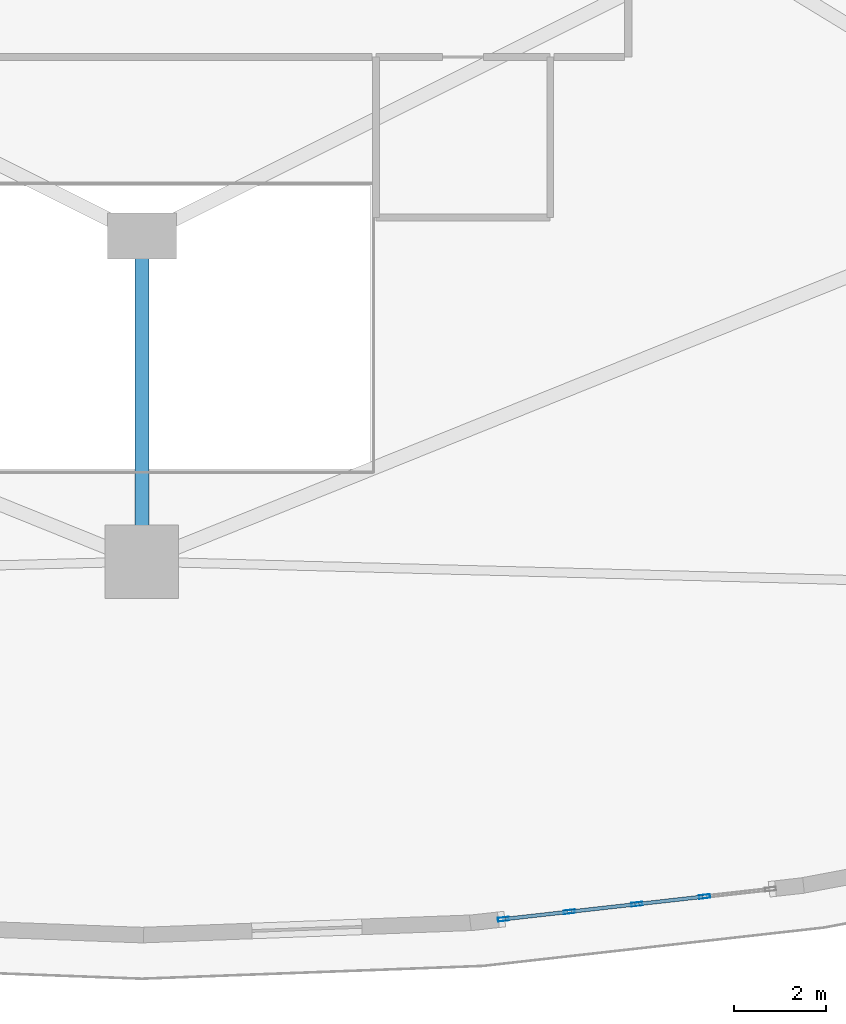
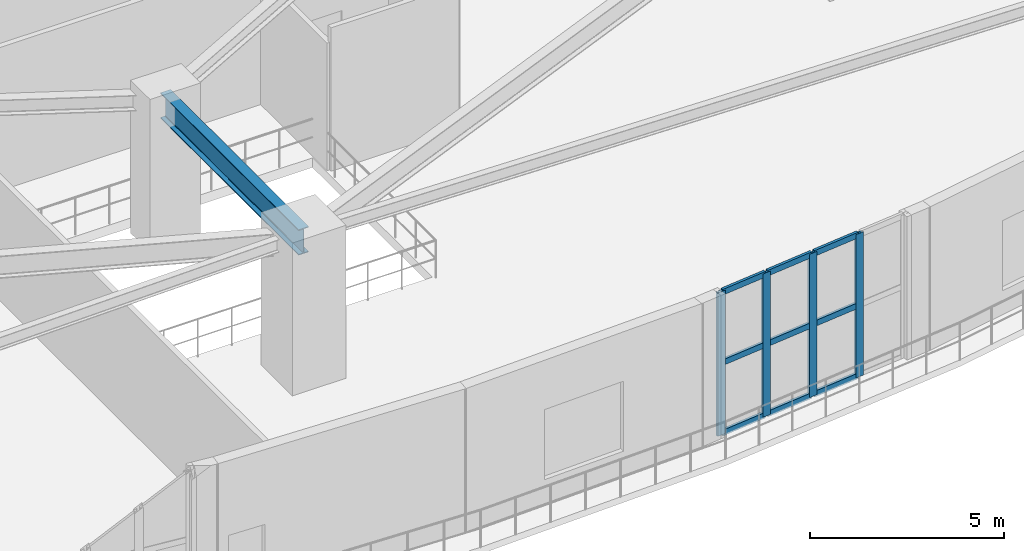
# One storey, part 6 of 25: 13 members, 1 beam, 1 element without a shape of its own.
"""IFC4 building model written with IfcOpenShell, lengths in metres."""

import ifcopenshell
import ifcopenshell.guid

model = None  # the IFC model being written
_history = None  # IfcOwnerHistory: only IFC2X3 demands one
_inside = {}  # id of a spatial element -> (the spatial element, [elements in it])
_under = {}  # id of a project, library or spatial element -> (it, [spatial elements below it])
_declared = {}  # id of a project -> (the project, [libraries it declares])
_typed = {}  # id of a type object -> (the type object, [elements of that type])
_made_of = {}  # id of a material, layer set ... -> (it, [elements and type objects made of it])


def new_model(schema):
    """Start an empty IFC model of exactly this schema.

    Asked for "IFC4X3", IfcOpenShell would pick the latest addendum, in which some entities
    have other attributes; the version numbers below select the first issue.
    IFC2X3 requires an IfcOwnerHistory on every rooted entity: one is made here for all.
    """
    global model, _history
    if schema == "IFC4X3":
        model = ifcopenshell.file(schema_version=(4, 3, 0, 0))
    else:
        model = ifcopenshell.file(schema=schema)
    _inside.clear()
    _under.clear()
    _declared.clear()
    _typed.clear()
    _made_of.clear()
    _history = None
    if model.schema == "IFC2X3":
        org = make("IfcOrganization", Name="unknown")
        user = make(
            "IfcPersonAndOrganization",
            ThePerson=make("IfcPerson", FamilyName="unknown"),
            TheOrganization=org,
        )
        app = make(
            "IfcApplication",
            ApplicationDeveloper=org,
            Version="unknown",
            ApplicationFullName="unknown",
            ApplicationIdentifier="unknown",
        )
        _history = make(
            "IfcOwnerHistory",
            OwningUser=user,
            OwningApplication=app,
            ChangeAction="ADDED",
            CreationDate=0,
        )
    return model


def make(cls, **values):
    """One entity of the class cls with the attributes given. An attribute that is None is left unset."""
    return model.create_entity(
        cls, **{name: value for name, value in values.items() if value is not None}
    )


def rooted(cls, **values):
    """An entity with a GlobalId (a new one), such as an element, a storey or a relation."""
    return make(cls, GlobalId=ifcopenshell.guid.new(), OwnerHistory=_history, **values)


def si_unit(unit_type, name, prefix=None):
    """IfcSIUnit, for example si_unit("LENGTHUNIT", "METRE", prefix="MILLI")."""
    return make("IfcSIUnit", UnitType=unit_type, Prefix=prefix, Name=name)


def assignment(units):
    """IfcUnitAssignment: the units of a project."""
    return None if units is None else make("IfcUnitAssignment", Units=units)


def point(xyz):
    """IfcCartesianPoint."""
    return None if xyz is None else make("IfcCartesianPoint", Coordinates=xyz)


def direction(xyz):
    """IfcDirection."""
    return None if xyz is None else make("IfcDirection", DirectionRatios=xyz)


def frame(location, z_axis=None, x_axis=None):
    """IfcAxis2Placement3D, a coordinate frame: its origin and axes. An axis left out is left unset."""
    return make(
        "IfcAxis2Placement3D",
        Location=point(location),
        Axis=direction(z_axis),
        RefDirection=direction(x_axis),
    )


def frame_2d(location, x_axis=None):
    """IfcAxis2Placement2D, a coordinate frame in the plane: its origin and x axis."""
    return make(
        "IfcAxis2Placement2D", Location=point(location), RefDirection=direction(x_axis)
    )


def origin():
    """The frame at (0, 0, 0) with its axes left unset."""
    return frame((0.0, 0.0, 0.0))


def origin_2d():
    """The frame at (0, 0) in the plane with its x axis left unset."""
    return frame_2d((0.0, 0.0))


def place(relative_to, where):
    """IfcLocalPlacement: puts the frame where relative to a parent placement (None: the world)."""
    return make(
        "IfcLocalPlacement", PlacementRelTo=relative_to, RelativePlacement=where
    )


def context(
    kind, dimensions, precision=None, world=None, true_north=None, identifier=None
):
    """IfcGeometricRepresentationContext, for example the 3D "Model" context."""
    return make(
        "IfcGeometricRepresentationContext",
        ContextIdentifier=identifier,
        ContextType=kind,
        CoordinateSpaceDimension=dimensions,
        Precision=precision,
        WorldCoordinateSystem=world,
        TrueNorth=true_north,
    )


def subcontext(parent, identifier, kind, view, scale=None):
    """IfcGeometricRepresentationSubContext, for example "Body" below "Model"."""
    return make(
        "IfcGeometricRepresentationSubContext",
        ContextIdentifier=identifier,
        ContextType=kind,
        ParentContext=parent,
        TargetScale=scale,
        TargetView=view,
    )


def project(units=None, contexts=None):
    """IfcProject with its units and contexts."""
    return rooted(
        "IfcProject",
        Name="project",
        RepresentationContexts=contexts,
        UnitsInContext=assignment(units),
    )


def spatial(cls, under=None, at=None, **own):
    """A site, building, storey or space (cls), placed at a placement, below another one or the project."""
    s = rooted(cls, ObjectPlacement=at, **own)
    if under is not None:
        _under.setdefault(under.id(), (under, []))[1].append(s)
    return s


def profile(cls, at=None, kind="AREA", **sizes):
    """A parametric profile (cls). Its sizes go by their IFC names, for example OverallWidth=200.0."""
    return make(cls, ProfileType=kind, Position=at, **sizes)


def hollow_rectangle(**sizes):
    """IfcRectangleHollowProfileDef."""
    return profile("IfcRectangleHollowProfileDef", **sizes)


def i_section(**sizes):
    """IfcIShapeProfileDef."""
    return profile("IfcIShapeProfileDef", **sizes)


def extrude(swept, where, along, depth):
    """IfcExtrudedAreaSolid: the profile swept, set in the frame where, extruded along a direction by depth."""
    return make(
        "IfcExtrudedAreaSolid",
        SweptArea=swept,
        Position=where,
        ExtrudedDirection=direction(along),
        Depth=depth,
    )


def shape(context_of_items, identifier, shape_type, items):
    """IfcShapeRepresentation: the items that make up one representation, for example the "Body"."""
    return make(
        "IfcShapeRepresentation",
        ContextOfItems=context_of_items,
        RepresentationIdentifier=identifier,
        RepresentationType=shape_type,
        Items=items,
    )


def material(Name=None, Category=None):
    """IfcMaterial."""
    return make("IfcMaterial", Name=Name, Category=Category)


def layer(
    of_material, thickness, ventilated=None, Name=None, Category=None, Priority=None
):
    """IfcMaterialLayer: one layer of a wall or slab, of a material (None: an air gap)."""
    return make(
        "IfcMaterialLayer",
        Material=of_material,
        LayerThickness=thickness,
        IsVentilated=ventilated,
        Name=Name,
        Category=Category,
        Priority=Priority,
    )


def layer_set(layers, Name=None):
    """IfcMaterialLayerSet."""
    return make("IfcMaterialLayerSet", MaterialLayers=layers, LayerSetName=Name)


def material_profile(
    of_material, cross_section, Name=None, Category=None, Priority=None
):
    """IfcMaterialProfile: a cross section and its material."""
    return make(
        "IfcMaterialProfile",
        Name=Name,
        Material=of_material,
        Profile=cross_section,
        Priority=Priority,
        Category=Category,
    )


def profile_set(profiles, Name=None, composite=None):
    """IfcMaterialProfileSet."""
    return make(
        "IfcMaterialProfileSet",
        Name=Name,
        MaterialProfiles=profiles,
        CompositeProfile=composite,
    )


def made_of(thing, what):
    """Note that an element or type object is made of a material, layer set ...; save() writes the relation."""
    if what is not None:
        _made_of.setdefault(what.id(), (what, []))[1].append(thing)
    return thing


def type_object(cls, material=None, **own):
    """A type object (cls), such as IfcWallType, which elements share."""
    return made_of(rooted(cls, **own), material)


def element(
    cls,
    number,
    at=None,
    inside=None,
    cuts=None,
    type_object=None,
    material=None,
    context=None,
    identifier="Body",
    shape_type=None,
    held_by="IfcProductDefinitionShape",
    body=None,
    shapes=None,
    **own,
):
    """One element of the class cls, such as IfcWall. Its Tag is "e" and its number.

    at: its placement. inside: the storey or other place that contains it. cuts: it is an
    opening in that element (IfcRelVoidsElement). A single representation is given by context,
    identifier, shape_type and body (its items); several are given by shapes. held_by: the class
    of the entity that holds the representations. save() writes the other relations.
    """
    e = rooted(cls, Tag="e%d" % number, ObjectPlacement=at, **own)
    if body is not None:
        shapes = [shape(context, identifier, shape_type, body)]
    if shapes is not None:
        e.Representation = make(held_by, Representations=shapes)
    if inside is not None:
        _inside.setdefault(inside.id(), (inside, []))[1].append(e)
    if cuts is not None:
        rooted(
            "IfcRelVoidsElement", RelatingBuildingElement=cuts, RelatedOpeningElement=e
        )
    if type_object is not None:
        _typed.setdefault(type_object.id(), (type_object, []))[1].append(e)
    return made_of(e, material)


def aggregate(whole, parts):
    """IfcRelAggregates: a whole, such as a stair, and the parts it consists of."""
    return rooted("IfcRelAggregates", RelatingObject=whole, RelatedObjects=parts)


def save(model, path):
    """Write the relations noted so far, then the file.

    IfcRelAggregates (storeys below a building ...), IfcRelContainedInSpatialStructure (elements
    in a storey), IfcRelDefinesByType, IfcRelAssociatesMaterial and IfcRelDeclares: one each for
    every whole, place, type object, material and project.
    """
    for whole, parts in _under.values():
        aggregate(whole, parts)
    for where, things in _inside.values():
        rooted(
            "IfcRelContainedInSpatialStructure",
            RelatedElements=things,
            RelatingStructure=where,
        )
    for kind, things in _typed.values():
        rooted("IfcRelDefinesByType", RelatedObjects=things, RelatingType=kind)
    for what, things in _made_of.values():
        rooted("IfcRelAssociatesMaterial", RelatedObjects=things, RelatingMaterial=what)
    for by, libraries in _declared.values():
        rooted("IfcRelDeclares", RelatingContext=by, RelatedDefinitions=libraries)
    model.write(path)


model = new_model("IFC4")

# Units and contexts
model_context = context("Model", 3, precision=1e-05, world=origin(), true_north=direction((0.0, 1.0)))
body_context = subcontext(model_context, "Body", "Model", "MODEL_VIEW")
ifc_project = project(units=[si_unit("LENGTHUNIT", "METRE"), si_unit("AREAUNIT", "SQUARE_METRE"), si_unit("VOLUMEUNIT", "CUBIC_METRE"), si_unit("PLANEANGLEUNIT", "RADIAN"), si_unit("MASSUNIT", "GRAM", prefix="KILO")], contexts=[model_context])

# Site, building, storey
site_placement = place(None, origin())
site = spatial("IfcSite", under=ifc_project, at=site_placement, CompositionType="ELEMENT")
building_placement = place(site_placement, origin())
building = spatial("IfcBuilding", under=site, at=building_placement, Name="Miruveldt Soraemaru", CompositionType="ELEMENT")
storey_placement = place(building_placement, frame((0.0, 0.0, 4.800048828125)))
storey = spatial("IfcBuildingStorey", under=building, at=storey_placement, Name="L02", CompositionType="ELEMENT", Elevation=4.800048828125)

# Beam
ifc_material_1 = material(Name="Steel S460 (460 MPa)", Category="steel")
ifc_material_profile_1 = material_profile(ifc_material_1, i_section(OverallWidth=0.300048828125, OverallDepth=0.800048828125, WebThickness=0.013916015625, FlangeThickness=0.02587890625, FilletRadius=0.028076171875, at=origin_2d()), Name="Steel S460 (460 MPa)", Category="steel")
ifc_profile_set_1 = profile_set([ifc_material_profile_1], Name="Steel S460 (460 MPa)")
beam_type = type_object("IfcBeamType", Name="BM-ST-H800", PredefinedType="BEAM", material=ifc_profile_set_1)
beam_placement = place(storey_placement, frame((44.0, 29.5, 4.099853515625), z_axis=(0.0, -1.0, 0.0), x_axis=(1.0, 0.0, 0.0)))
element("IfcBeam", 1, at=beam_placement, inside=storey, type_object=beam_type, Name="L02 Podium Radial Girder 4", PredefinedType="BEAM", context=body_context, shape_type="SweptSolid", body=[
    extrude(i_section(OverallWidth=0.300048828125, OverallDepth=0.800048828125, WebThickness=0.013916015625, FlangeThickness=0.02587890625, FilletRadius=0.028076171875, at=origin_2d()), origin(), (0.0, 0.0, 1.0), 7.10009765625),
])

# Curtain wall, members
ifc_material_2 = material(Name="Anodised aluminium EN AW-6063 T6", Category="aluminium")
ifc_layer = layer(ifc_material_2, 0.239990234375, Name="Anodised aluminium EN AW-6063 T6", Category="aluminium")
ifc_layer_set = layer_set([ifc_layer], Name="Anodised aluminium EN AW-6063 T6")
curtain_wall_type = type_object("IfcCurtainWallType", Name="CW-SYS-1", PredefinedType="USERDEFINED", material=ifc_layer_set)
curtain_wall_placement = place(storey_placement, origin())
curtain_wall = element("IfcCurtainWall", 2, at=curtain_wall_placement, inside=storey, type_object=curtain_wall_type, Name="L02 Curtain Wall Bay 26", ObjectType="STOREFRONT", PredefinedType="USERDEFINED")
ifc_material_profile_2 = material_profile(ifc_material_2, hollow_rectangle(XDim=0.080078125, YDim=0.239990234375, WallThickness=0.0048828125, at=origin_2d()), Name="Anodised aluminium EN AW-6063 T6", Category="aluminium")
ifc_profile_set_2 = profile_set([ifc_material_profile_2], Name="Anodised aluminium EN AW-6063 T6")
member_type_1 = type_object("IfcMemberType", Name="CWM-1", PredefinedType="MULLION", material=ifc_profile_set_2)
member_1_placement = place(storey_placement, frame((51.879150390625, 14.605224609375, 0.0), z_axis=(0.0, 0.0, 1.0), x_axis=(-0.111786043709, 0.993732298173, 0.0)))
member_1 = element("IfcMember", 3, at=member_1_placement, type_object=member_type_1, Name="CW-1 mullion 1", PredefinedType="MULLION", context=body_context, shape_type="SweptSolid", body=[
    extrude(hollow_rectangle(XDim=0.080078125, YDim=0.239990234375, WallThickness=0.0048828125, at=origin_2d()), origin(), (0.0, 0.0, 1.0), 4.5),
])
member_2_placement = place(storey_placement, frame((53.31494140625, 14.766845703125, 0.0), z_axis=(0.0, 0.0, 1.0), x_axis=(-0.111786043709, 0.993732298173, 0.0)))
member_2 = element("IfcMember", 4, at=member_2_placement, type_object=member_type_1, Name="CW-1 mullion 2", PredefinedType="MULLION", context=body_context, shape_type="SweptSolid", body=[
    extrude(hollow_rectangle(XDim=0.080078125, YDim=0.239990234375, WallThickness=0.0048828125, at=origin_2d()), origin(), (0.0, 0.0, 1.0), 4.5),
])
member_3_placement = place(storey_placement, frame((54.790283203125, 14.932861328125, 0.0), z_axis=(0.0, 0.0, 1.0), x_axis=(-0.111786043709, 0.993732298173, 0.0)))
member_3 = element("IfcMember", 5, at=member_3_placement, type_object=member_type_1, Name="CW-1 mullion 3", PredefinedType="MULLION", context=body_context, shape_type="SweptSolid", body=[
    extrude(hollow_rectangle(XDim=0.080078125, YDim=0.239990234375, WallThickness=0.0048828125, at=origin_2d()), origin(), (0.0, 0.0, 1.0), 4.5),
])
member_4_placement = place(storey_placement, frame((56.265869140625, 15.0986328125, 0.0), z_axis=(0.0, 0.0, 1.0), x_axis=(-0.111786043709, 0.993732298173, 0.0)))
member_4 = element("IfcMember", 6, at=member_4_placement, type_object=member_type_1, Name="CW-1 mullion 4", PredefinedType="MULLION", context=body_context, shape_type="SweptSolid", body=[
    extrude(hollow_rectangle(XDim=0.080078125, YDim=0.239990234375, WallThickness=0.0048828125, at=origin_2d()), origin(), (0.0, 0.0, 1.0), 4.5),
])
ifc_material_profile_3 = material_profile(ifc_material_2, hollow_rectangle(XDim=0.080078125, YDim=0.179931640625, WallThickness=0.00390625, at=origin_2d()), Name="Anodised aluminium EN AW-6063 T6", Category="aluminium")
ifc_profile_set_3 = profile_set([ifc_material_profile_3], Name="Anodised aluminium EN AW-6063 T6")
member_type_2 = type_object("IfcMemberType", Name="CWT-1", PredefinedType="USERDEFINED", material=ifc_profile_set_3)
member_5_placement = place(storey_placement, frame((51.9189453125, 14.60986328125, 0.0400390625), z_axis=(0.993749934157, 0.11162915552, 0.0), x_axis=(-0.11162915552, 0.993749934157, 0.0)))
member_5 = element("IfcMember", 7, at=member_5_placement, type_object=member_type_2, Name="CW-1 transom 1.1", ObjectType="TRANSOM", PredefinedType="USERDEFINED", context=body_context, shape_type="SweptSolid", body=[
    extrude(hollow_rectangle(XDim=0.080078125, YDim=0.179931640625, WallThickness=0.00390625, at=origin_2d()), origin(), (0.0, 0.0, 1.0), 1.36474609375),
])
member_6_placement = place(storey_placement, frame((51.9189453125, 14.60986328125, 2.25), z_axis=(0.993749934157, 0.11162915552, 0.0), x_axis=(-0.11162915552, 0.993749934157, 0.0)))
member_6 = element("IfcMember", 8, at=member_6_placement, type_object=member_type_2, Name="CW-1 transom 1.2", ObjectType="TRANSOM", PredefinedType="USERDEFINED", context=body_context, shape_type="SweptSolid", body=[
    extrude(hollow_rectangle(XDim=0.080078125, YDim=0.179931640625, WallThickness=0.00390625, at=origin_2d()), origin(), (0.0, 0.0, 1.0), 1.36474609375),
])
member_7_placement = place(storey_placement, frame((51.9189453125, 14.60986328125, 4.4599609375), z_axis=(0.993749934157, 0.11162915552, 0.0), x_axis=(-0.11162915552, 0.993749934157, 0.0)))
member_7 = element("IfcMember", 9, at=member_7_placement, type_object=member_type_2, Name="CW-1 transom 1.3", ObjectType="TRANSOM", PredefinedType="USERDEFINED", context=body_context, shape_type="SweptSolid", body=[
    extrude(hollow_rectangle(XDim=0.080078125, YDim=0.179931640625, WallThickness=0.00390625, at=origin_2d()), origin(), (0.0, 0.0, 1.0), 1.36474609375),
])
member_8_placement = place(storey_placement, frame((53.354736328125, 14.771240234375, 0.0400390625), z_axis=(0.993736624498, 0.111747577746, 0.0), x_axis=(-0.111747577746, 0.993736624498, 0.0)))
member_8 = element("IfcMember", 10, at=member_8_placement, type_object=member_type_2, Name="CW-1 transom 2.1", ObjectType="TRANSOM", PredefinedType="USERDEFINED", context=body_context, shape_type="SweptSolid", body=[
    extrude(hollow_rectangle(XDim=0.080078125, YDim=0.179931640625, WallThickness=0.00390625, at=origin_2d()), origin(), (0.0, 0.0, 1.0), 1.40478515625),
])
member_9_placement = place(storey_placement, frame((53.354736328125, 14.771240234375, 2.25), z_axis=(0.993736624498, 0.111747577746, 0.0), x_axis=(-0.111747577746, 0.993736624498, 0.0)))
member_9 = element("IfcMember", 11, at=member_9_placement, type_object=member_type_2, Name="CW-1 transom 2.2", ObjectType="TRANSOM", PredefinedType="USERDEFINED", context=body_context, shape_type="SweptSolid", body=[
    extrude(hollow_rectangle(XDim=0.080078125, YDim=0.179931640625, WallThickness=0.00390625, at=origin_2d()), origin(), (0.0, 0.0, 1.0), 1.40478515625),
])
member_10_placement = place(storey_placement, frame((53.354736328125, 14.771240234375, 4.4599609375), z_axis=(0.993736624498, 0.111747577746, 0.0), x_axis=(-0.111747577746, 0.993736624498, 0.0)))
member_10 = element("IfcMember", 12, at=member_10_placement, type_object=member_type_2, Name="CW-1 transom 2.3", ObjectType="TRANSOM", PredefinedType="USERDEFINED", context=body_context, shape_type="SweptSolid", body=[
    extrude(hollow_rectangle(XDim=0.080078125, YDim=0.179931640625, WallThickness=0.00390625, at=origin_2d()), origin(), (0.0, 0.0, 1.0), 1.40478515625),
])
member_11_placement = place(storey_placement, frame((54.830078125, 14.937255859375, 0.0400390625), z_axis=(0.993736624498, 0.111747577746, 0.0), x_axis=(-0.111747577746, 0.993736624498, 0.0)))
member_11 = element("IfcMember", 13, at=member_11_placement, type_object=member_type_2, Name="CW-1 transom 3.1", ObjectType="TRANSOM", PredefinedType="USERDEFINED", context=body_context, shape_type="SweptSolid", body=[
    extrude(hollow_rectangle(XDim=0.080078125, YDim=0.179931640625, WallThickness=0.00390625, at=origin_2d()), origin(), (0.0, 0.0, 1.0), 1.40478515625),
])
member_12_placement = place(storey_placement, frame((54.830078125, 14.937255859375, 2.25), z_axis=(0.993736624498, 0.111747577746, 0.0), x_axis=(-0.111747577746, 0.993736624498, 0.0)))
member_12 = element("IfcMember", 14, at=member_12_placement, type_object=member_type_2, Name="CW-1 transom 3.2", ObjectType="TRANSOM", PredefinedType="USERDEFINED", context=body_context, shape_type="SweptSolid", body=[
    extrude(hollow_rectangle(XDim=0.080078125, YDim=0.179931640625, WallThickness=0.00390625, at=origin_2d()), origin(), (0.0, 0.0, 1.0), 1.40478515625),
])
member_13_placement = place(storey_placement, frame((54.830078125, 14.937255859375, 4.4599609375), z_axis=(0.993736624498, 0.111747577746, 0.0), x_axis=(-0.111747577746, 0.993736624498, 0.0)))
member_13 = element("IfcMember", 15, at=member_13_placement, type_object=member_type_2, Name="CW-1 transom 3.3", ObjectType="TRANSOM", PredefinedType="USERDEFINED", context=body_context, shape_type="SweptSolid", body=[
    extrude(hollow_rectangle(XDim=0.080078125, YDim=0.179931640625, WallThickness=0.00390625, at=origin_2d()), origin(), (0.0, 0.0, 1.0), 1.40478515625),
])
aggregate(curtain_wall, [member_1, member_2, member_3, member_4, member_5, member_6, member_7, member_8, member_9, member_10, member_11, member_12, member_13])

save(model, "model.ifc")
